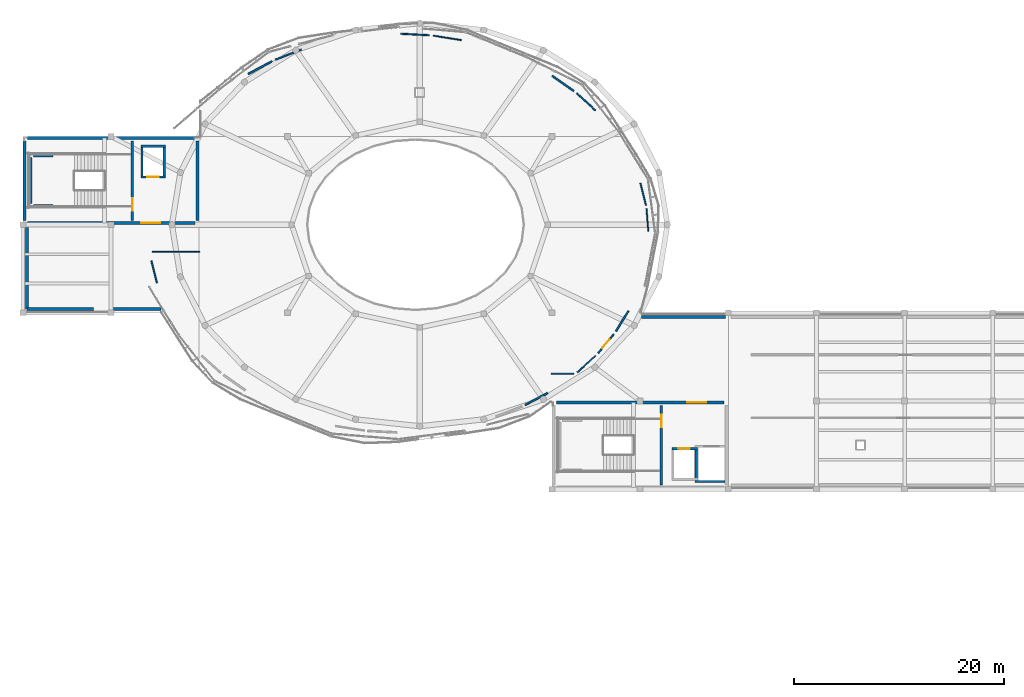
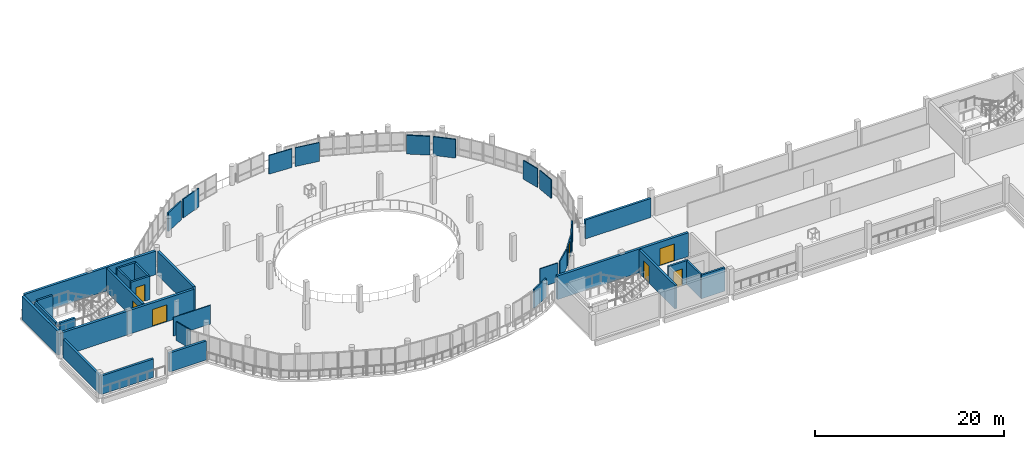
# One storey, part 31 of 43: 36 walls, 7 doors, 7 openings.
"""IFC4 building model written with IfcOpenShell, lengths in metres."""

from ifc_helpers import new_model, si_unit, derived_unit, direction, frame, frame_2d, origin, place, context, subcontext, project, spatial, rectangle, extrude, material, layer, layer_set, type_object, element, fill, save


model = new_model("IFC4")

# Units and contexts
model_context = context("Model", 3, precision=1e-05, world=origin(), true_north=direction((0.0, 1.0)))
body_context = subcontext(model_context, "Body", "Model", "MODEL_VIEW")
ifc_project = project(units=[si_unit("LENGTHUNIT", "METRE"), si_unit("AREAUNIT", "SQUARE_METRE"), si_unit("VOLUMEUNIT", "CUBIC_METRE"), si_unit("PLANEANGLEUNIT", "RADIAN"), si_unit("MASSUNIT", "GRAM", prefix="KILO"), derived_unit("THERMALTRANSMITTANCEUNIT", [(si_unit("POWERUNIT", "WATT"), 1), (si_unit("LENGTHUNIT", "METRE"), -2), (si_unit("THERMODYNAMICTEMPERATUREUNIT", "KELVIN"), -1)])], contexts=[model_context])

# Site, building, storey
site_placement = place(None, origin())
site = spatial("IfcSite", under=ifc_project, at=site_placement, CompositionType="ELEMENT")
building_placement = place(site_placement, origin())
building = spatial("IfcBuilding", under=site, at=building_placement, Name="Elbkamm Science Centre", CompositionType="ELEMENT")
storey_placement = place(building_placement, frame((0.0, 0.0, 18.300048828125)))
storey = spatial("IfcBuildingStorey", under=building, at=storey_placement, Name="L04", CompositionType="ELEMENT", Elevation=18.300048828125)

# Walls
ifc_material_1 = material(Name="Reinforced concrete C40/50", Category="concrete")
ifc_layer_1 = layer(ifc_material_1, 0.25)
ifc_layer_set_1 = layer_set([ifc_layer_1], Name="Reinforced concrete C40/50")
wall_type_1 = type_object("IfcWallType", Name="WL-CORE-250", PredefinedType="SHEAR", material=ifc_layer_set_1)
wall_1_placement = place(storey_placement, frame((25.93994140625, 69.219970703125, 0.0), z_axis=(0.0, 0.0, 1.0), x_axis=(0.0, 1.0, 0.0)))
element("IfcWall", 1, at=wall_1_placement, inside=storey, type_object=wall_type_1, Name="L04 ST-C1 Shaft Bearing Wall W", PredefinedType="SHEAR", context=body_context, shape_type="SweptSolid", body=[
    extrude(rectangle(XDim=4.360107421875, YDim=0.25, at=frame_2d((2.18017578125, 0.0))), origin(), (0.0, 0.0, 1.0), 3.0400390625),
])
for number, where, z_axis, x_axis, name in (
    (2, (26.18994140625, 69.02001953125, 0.0), (0.0, 0.0, 1.0), (1.0, 0.0, 0.0), "L04 ST-C1 Shaft Bearing Wall S"),
    (3, (26.18994140625, 73.780029296875, 0.0), (0.0, 0.0, 1.0), (1.0, 0.0, 0.0), "L04 ST-C1 Shaft Bearing Wall N"),
):
    element("IfcWall", number, at=place(storey_placement, frame(where, z_axis=z_axis, x_axis=x_axis)), inside=storey, type_object=wall_type_1, Name=name, PredefinedType="SHEAR", context=body_context, shape_type="SweptSolid", body=[
        extrude(rectangle(XDim=1.89013671875, YDim=0.25, at=frame_2d((0.945068359375, 0.0))), origin(), (0.0, 0.0, 1.0), 3.0400390625),
    ])

# Wall, opening, door
wall_2_placement = place(storey_placement, frame((35.6201171875, 67.6201171875, 0.0), z_axis=(0.0, 0.0, 1.0), x_axis=(0.0, 1.0, 0.0)))
wall_2 = element("IfcWall", 4, at=wall_2_placement, inside=storey, type_object=wall_type_1, Name="L04 C1 Stairwell Compartment Wall", PredefinedType="SHEAR", context=body_context, shape_type="SweptSolid", body=[
    extrude(rectangle(XDim=7.559814453125, YDim=0.25, at=frame_2d((3.77978515625, 0.0))), origin(), (0.0, 0.0, 1.0), 3.0400390625),
])
opening_1_placement = place(wall_2_placement, frame((0.89990234375, 0.0, 0.0)))
opening_1 = element("IfcOpeningElement", 5, at=opening_1_placement, cuts=wall_2, Name="Opening DC-02", PredefinedType="OPENING", context=body_context, shape_type="SweptSolid", body=[
    extrude(rectangle(XDim=1.199951171875, YDim=2.199951171875, at=frame_2d((0.60009765625, 1.10009765625))), frame((0.0, 0.136962890625, 0.0), z_axis=(0.0, -1.0, 0.0), x_axis=(1.0, 0.0, 0.0)), (0.0, 0.0, 1.0), 0.27392578125),
])
ifc_material_2 = material(Name="Fire-rated steel acoustic door", Category="steel")
ifc_layer_2 = layer(ifc_material_2, 0.050048828125)
ifc_layer_set_2 = layer_set([ifc_layer_2], Name="Fire-rated steel acoustic door")
door_type_1 = type_object("IfcDoorType", Name="DR-CORE-1200x2200", OperationType="NOTDEFINED", PredefinedType="DOOR", material=ifc_layer_set_2)
door_1_placement = place(opening_1_placement, origin())
door_1 = element("IfcDoor", 6, at=door_1_placement, inside=storey, type_object=door_type_1, Name="L04 ST-C1 Stairwell Fire Door", OperationType="SINGLE_SWING_RIGHT", OverallHeight=2.199951171875, OverallWidth=1.199951171875, PredefinedType="DOOR", context=body_context, shape_type="SweptSolid", body=[
    extrude(rectangle(XDim=1.199951171875, YDim=2.199951171875, at=frame_2d((0.60009765625, 1.10009765625))), frame((0.0, 0.02490234375, 0.0), z_axis=(0.0, -1.0, 0.0), x_axis=(1.0, 0.0, 0.0)), (0.0, 0.0, 1.0), 0.050048828125),
])
fill(opening_1, door_1)

wall_3_placement = place(storey_placement, frame((86.02001953125, 42.419921875, 0.0), z_axis=(0.0, 0.0, 1.0), x_axis=(0.0, 1.0, 0.0)))
wall_3 = element("IfcWall", 7, at=wall_3_placement, inside=storey, type_object=wall_type_1, Name="L04 C2 Stairwell Compartment Wall", PredefinedType="SHEAR", context=body_context, shape_type="SweptSolid", body=[
    extrude(rectangle(XDim=7.56005859375, YDim=0.25, at=frame_2d((3.780029296875, 0.0))), origin(), (0.0, 0.0, 1.0), 3.0400390625),
])
opening_2_placement = place(wall_3_placement, frame((5.4599609375, 0.0, 0.0)))
opening_2 = element("IfcOpeningElement", 8, at=opening_2_placement, cuts=wall_3, Name="Opening DC-02", PredefinedType="OPENING", context=body_context, shape_type="SweptSolid", body=[
    extrude(rectangle(XDim=1.199951171875, YDim=2.199951171875, at=frame_2d((0.60009765625, 1.10009765625))), frame((0.0, 0.136962890625, 0.0), z_axis=(0.0, -1.0, 0.0), x_axis=(1.0, 0.0, 0.0)), (0.0, 0.0, 1.0), 0.27392578125),
])
door_2_placement = place(opening_2_placement, origin())
door_2 = element("IfcDoor", 9, at=door_2_placement, inside=storey, type_object=door_type_1, Name="L04 ST-C2 Stairwell Fire Door", OperationType="SINGLE_SWING_LEFT", OverallHeight=2.199951171875, OverallWidth=1.199951171875, PredefinedType="DOOR", context=body_context, shape_type="SweptSolid", body=[
    extrude(rectangle(XDim=1.199951171875, YDim=2.199951171875, at=frame_2d((0.60009765625, 1.10009765625))), frame((0.0, 0.02490234375, 0.0), z_axis=(0.0, -1.0, 0.0), x_axis=(1.0, 0.0, 0.0)), (0.0, 0.0, 1.0), 0.050048828125),
])
fill(opening_2, door_2)

ifc_layer_3 = layer(ifc_material_1, 0.300048828125)
ifc_layer_set_3 = layer_set([ifc_layer_3], Name="Reinforced concrete C40/50")
wall_type_2 = type_object("IfcWallType", Name="WL-CORE-300", PredefinedType="SHEAR", material=ifc_layer_set_3)
wall_4_placement = place(storey_placement, frame((25.6201171875, 67.35009765625, 0.0), z_axis=(0.0, 0.0, 1.0), x_axis=(1.0, 0.0, 0.0)))
wall_4 = element("IfcWall", 10, at=wall_4_placement, inside=storey, type_object=wall_type_2, Name="L04 Core C1 Northwest Planetarium and Exhibition Core Shear Wall S", PredefinedType="SHEAR", context=body_context, shape_type="SweptSolid", body=[
    extrude(rectangle(XDim=15.9599609375, YDim=0.300048828125, at=frame_2d((7.97998046875, 0.0))), origin(), (0.0, 0.0, 1.0), 3.0400390625),
])
opening_3_placement = place(wall_4_placement, frame((10.860107421875, 0.0, 0.0)))
opening_3 = element("IfcOpeningElement", 11, at=opening_3_placement, cuts=wall_4, Name="Opening DC-01", PredefinedType="OPENING", context=body_context, shape_type="SweptSolid", body=[
    extrude(rectangle(XDim=1.800048828125, YDim=2.199951171875, at=frame_2d((0.89990234375, 1.10009765625))), frame((0.0, 0.162109375, 0.0), z_axis=(0.0, -1.0, 0.0), x_axis=(1.0, 0.0, 0.0)), (0.0, 0.0, 1.0), 0.323974609375),
])
ifc_layer_4 = layer(ifc_material_2, 0.050048828125)
ifc_layer_set_4 = layer_set([ifc_layer_4], Name="Fire-rated steel acoustic door")
door_type_2 = type_object("IfcDoorType", Name="DR-CORE-1800x2200", OperationType="DOUBLE_DOOR_SINGLE_SWING", PredefinedType="DOOR", material=ifc_layer_set_4)
door_3_placement = place(opening_3_placement, origin())
door_3 = element("IfcDoor", 12, at=door_3_placement, inside=storey, type_object=door_type_2, Name="L04 C1 Core Lobby Fire Door", OperationType="DOUBLE_DOOR_SINGLE_SWING", OverallHeight=2.199951171875, OverallWidth=1.800048828125, PredefinedType="DOOR", context=body_context, shape_type="SweptSolid", body=[
    extrude(rectangle(XDim=1.800048828125, YDim=2.199951171875, at=frame_2d((0.89990234375, 1.10009765625))), frame((0.0, 0.02490234375, 0.0), z_axis=(0.0, -1.0, 0.0), x_axis=(1.0, 0.0, 0.0)), (0.0, 0.0, 1.0), 0.050048828125),
])
fill(opening_3, door_3)

# Walls
wall_5_placement = place(storey_placement, frame((25.6201171875, 75.449951171875, 0.0), z_axis=(0.0, 0.0, 1.0), x_axis=(1.0, 0.0, 0.0)))
element("IfcWall", 13, at=wall_5_placement, inside=storey, type_object=wall_type_2, Name="L04 Core C1 Northwest Planetarium and Exhibition Core Shear Wall N", PredefinedType="SHEAR", context=body_context, shape_type="SweptSolid", body=[
    extrude(rectangle(XDim=15.9599609375, YDim=0.300048828125, at=frame_2d((7.97998046875, 0.0))), origin(), (0.0, 0.0, 1.0), 3.0400390625),
])
for number, where, z_axis, x_axis, name in (
    (14, (25.35009765625, 67.6201171875, 0.0), (0.0, 0.0, 1.0), (0.0, 1.0, 0.0), "L04 Core C1 Northwest Planetarium and Exhibition Core Shear Wall W"),
    (15, (41.85009765625, 67.6201171875, 0.0), (0.0, 0.0, 1.0), (0.0, 1.0, 0.0), "L04 Core C1 Northwest Planetarium and Exhibition Core Shear Wall E"),
):
    element("IfcWall", number, at=place(storey_placement, frame(where, z_axis=z_axis, x_axis=x_axis)), inside=storey, type_object=wall_type_2, Name=name, PredefinedType="SHEAR", context=body_context, shape_type="SweptSolid", body=[
        extrude(rectangle(XDim=7.559814453125, YDim=0.300048828125, at=frame_2d((3.77978515625, 0.0))), origin(), (0.0, 0.0, 1.0), 3.0400390625),
    ])

# Wall, opening, door
wall_6_placement = place(storey_placement, frame((76.02001953125, 50.25, 0.0), z_axis=(0.0, 0.0, 1.0), x_axis=(1.0, 0.0, 0.0)))
wall_6 = element("IfcWall", 16, at=wall_6_placement, inside=storey, type_object=wall_type_2, Name="L04 Core C2 Central Exhibition and Skybridge Core Shear Wall N", PredefinedType="SHEAR", context=body_context, shape_type="SweptSolid", body=[
    extrude(rectangle(XDim=15.9599609375, YDim=0.300048828125, at=frame_2d((7.97998046875, 0.0))), origin(), (0.0, 0.0, 1.0), 3.0400390625),
])
opening_4_placement = place(wall_6_placement, frame((12.4599609375, 0.0, 0.0)))
opening_4 = element("IfcOpeningElement", 17, at=opening_4_placement, cuts=wall_6, Name="Opening DC-01", PredefinedType="OPENING", context=body_context, shape_type="SweptSolid", body=[
    extrude(rectangle(XDim=1.800048828125, YDim=2.199951171875, at=frame_2d((0.89990234375, 1.10009765625))), frame((0.0, 0.162109375, 0.0), z_axis=(0.0, -1.0, 0.0), x_axis=(1.0, 0.0, 0.0)), (0.0, 0.0, 1.0), 0.323974609375),
])
door_4_placement = place(opening_4_placement, origin())
door_4 = element("IfcDoor", 18, at=door_4_placement, inside=storey, type_object=door_type_2, Name="L04 C2 Core Lobby Fire Door", OperationType="DOUBLE_DOOR_SINGLE_SWING", OverallHeight=2.199951171875, OverallWidth=1.800048828125, PredefinedType="DOOR", context=body_context, shape_type="SweptSolid", body=[
    extrude(rectangle(XDim=1.800048828125, YDim=2.199951171875, at=frame_2d((0.89990234375, 1.10009765625))), frame((0.0, 0.02490234375, 0.0), z_axis=(0.0, -1.0, 0.0), x_axis=(1.0, 0.0, 0.0)), (0.0, 0.0, 1.0), 0.050048828125),
])
fill(opening_4, door_4)

# Walls
ifc_material_3 = material(Name="White precast concrete C40/50", Category="concrete")
ifc_layer_5 = layer(ifc_material_3, 0.27001953125)
ifc_layer_set_5 = layer_set([ifc_layer_5], Name="White precast concrete C40/50")
wall_type_3 = type_object("IfcWallType", Name="WL-EXT-270", PredefinedType="SOLIDWALL", material=ifc_layer_set_5)
wall_7_placement = place(storey_placement, frame((84.147216796875, 58.419921875, 0.0), z_axis=(0.0, 0.0, 1.0), x_axis=(1.0, 0.0, 0.0)))
element("IfcWall", 19, at=wall_7_placement, inside=storey, type_object=wall_type_3, Name="L04 Exterior Wall 0293", PredefinedType="SOLIDWALL", context=body_context, shape_type="SweptSolid", body=[
    extrude(rectangle(XDim=8.013671875, YDim=0.27001953125, at=frame_2d((4.0068359375, 0.0))), origin(), (0.0, 0.0, 1.0), 2.449951171875),
])
wall_8_placement = place(storey_placement, frame((31.9423828125, 59.179931640625, 0.0), z_axis=(0.0, 0.0, 1.0), x_axis=(-1.0, 0.0, 0.0)))
element("IfcWall", 20, at=wall_8_placement, inside=storey, type_object=wall_type_3, Name="L04 Exterior Wall 0309", PredefinedType="SOLIDWALL", context=body_context, shape_type="SweptSolid", body=[
    extrude(rectangle(XDim=6.3623046875, YDim=0.27001953125, at=frame_2d((3.18115234375, 0.0))), origin(), (0.0, 0.0, 1.0), 2.389892578125),
])
ifc_layer_6 = layer(ifc_material_3, 0.2900390625)
ifc_layer_set_6 = layer_set([ifc_layer_6], Name="White precast concrete C40/50")
wall_type_4 = type_object("IfcWallType", Name="WL-EXT-290", PredefinedType="SOLIDWALL", material=ifc_layer_set_6)
wall_9_placement = place(storey_placement, frame((38.36083984375, 59.179931640625, 0.0), z_axis=(0.0, 0.0, 1.0), x_axis=(-1.0, 0.0, 0.0)))
element("IfcWall", 21, at=wall_9_placement, inside=storey, type_object=wall_type_4, Name="L04 Exterior Wall 0308", PredefinedType="SOLIDWALL", context=body_context, shape_type="SweptSolid", body=[
    extrude(rectangle(XDim=4.521728515625, YDim=0.2900390625, at=frame_2d((2.2607421875, 0.0))), origin(), (0.0, 0.0, 1.0), 2.43994140625),
])
wall_10_placement = place(storey_placement, frame((25.580078125, 59.179931640625, 0.0), z_axis=(0.0, 0.0, 1.0), x_axis=(0.0, 1.0, 0.0)))
element("IfcWall", 22, at=wall_10_placement, inside=storey, type_object=wall_type_4, Name="L04 Exterior Wall 0310", PredefinedType="SOLIDWALL", context=body_context, shape_type="SweptSolid", body=[
    extrude(rectangle(XDim=7.7431640625, YDim=0.2900390625, at=frame_2d((3.87158203125, 0.0))), origin(), (0.0, 0.0, 1.0), 2.389892578125),
])
ifc_material_4 = material(Name="Drywall service partition", Category="gypsum")
ifc_layer_7 = layer(ifc_material_4, 0.10009765625)
ifc_layer_set_7 = layer_set([ifc_layer_7], Name="Drywall service partition")
wall_type_5 = type_object("IfcWallType", Name="WL-PART-100", PredefinedType="PARTITIONING", material=ifc_layer_set_7)
wall_11_placement = place(storey_placement, frame((64.2841796875, 85.209228515625, 0.0), z_axis=(0.0, 0.0, 1.0), x_axis=(0.987623445591, -0.156843647363, 0.0)))
element("IfcWall", 23, at=wall_11_placement, inside=storey, type_object=wall_type_5, Name="L04 Atmospheric and Energy Exhibition Hall Partition 0235", PredefinedType="PARTITIONING", context=body_context, shape_type="SweptSolid", body=[
    extrude(rectangle(XDim=2.731689453125, YDim=0.10009765625, at=frame_2d((1.36572265625, 0.0))), origin(), (0.0, 0.0, 1.0), 2.419921875),
])
wall_12_placement = place(storey_placement, frame((84.611083984375, 68.70068359375, 0.0), z_axis=(0.0, 0.0, 1.0), x_axis=(0.081896828204, -0.996640812695, 0.0)))
element("IfcWall", 24, at=wall_12_placement, inside=storey, type_object=wall_type_5, Name="L04 Atmospheric and Energy Exhibition Hall Partition 0239", PredefinedType="PARTITIONING", context=body_context, shape_type="SweptSolid", body=[
    extrude(rectangle(XDim=2.12841796875, YDim=0.10009765625, at=frame_2d((1.064208984375, 0.0))), origin(), (0.0, 0.0, 1.0), 2.419921875),
])
wall_13_placement = place(storey_placement, frame((77.6875, 53.0, 0.0), z_axis=(0.0, 0.0, 1.0), x_axis=(-1.0, 0.0, 0.0)))
element("IfcWall", 25, at=wall_13_placement, inside=storey, type_object=wall_type_5, Name="L04 Atmospheric and Energy Exhibition Hall Partition 0243", PredefinedType="PARTITIONING", context=body_context, shape_type="SweptSolid", body=[
    extrude(rectangle(XDim=2.157470703125, YDim=0.10009765625, at=frame_2d((1.07861328125, 0.0))), origin(), (0.0, 0.0, 1.0), 2.419921875),
])
wall_14_placement = place(storey_placement, frame((37.52783203125, 64.60009765625, 0.0), z_axis=(0.0, 0.0, 1.0), x_axis=(1.0, 0.0, 0.0)))
element("IfcWall", 26, at=wall_14_placement, inside=storey, type_object=wall_type_5, Name="L04 Atmospheric and Energy Exhibition Hall Partition 0251", PredefinedType="PARTITIONING", context=body_context, shape_type="SweptSolid", body=[
    extrude(rectangle(XDim=4.542236328125, YDim=0.10009765625, at=frame_2d((2.27099609375, 0.0))), origin(), (0.0, 0.0, 1.0), 2.419921875),
])
ifc_material_5 = material(Name="Lightweight metal-stud gypsum partition", Category="gypsum")
ifc_layer_8 = layer(ifc_material_5, 0.125)
ifc_layer_set_8 = layer_set([ifc_layer_8], Name="Lightweight metal-stud gypsum partition")
wall_type_6 = type_object("IfcWallType", Name="WL-PART-125", PredefinedType="PARTITIONING", material=ifc_layer_set_8)
wall_15_placement = place(storey_placement, frame((61.1796875, 85.390625, 0.0), z_axis=(0.0, 0.0, 1.0), x_axis=(0.998632744282, -0.052274678847, 0.0)))
element("IfcWall", 27, at=wall_15_placement, inside=storey, type_object=wall_type_6, Name="L04 Atmospheric and Energy Exhibition Hall Partition 0234", PredefinedType="PARTITIONING", context=body_context, shape_type="SweptSolid", body=[
    extrude(rectangle(XDim=2.750732421875, YDim=0.125, at=frame_2d((1.37548828125, 0.0))), origin(), (0.0, 0.0, 1.0), 2.419921875),
])
wall_16_placement = place(storey_placement, frame((84.032470703125, 71.142822265625, 0.0), z_axis=(0.0, 0.0, 1.0), x_axis=(0.241868234485, -0.970309103918, 0.0)))
element("IfcWall", 28, at=wall_16_placement, inside=storey, type_object=wall_type_6, Name="L04 Atmospheric and Energy Exhibition Hall Partition 0238", PredefinedType="PARTITIONING", context=body_context, shape_type="SweptSolid", body=[
    extrude(rectangle(XDim=2.152099609375, YDim=0.125, at=frame_2d((1.076171875, 0.0))), origin(), (0.0, 0.0, 1.0), 2.419921875),
])
wall_17_placement = place(storey_placement, frame((79.748779296875, 54.71240234375, 0.0), z_axis=(0.0, 0.0, 1.0), x_axis=(-0.739481919973, -0.67317641821, 0.0)))
element("IfcWall", 29, at=wall_17_placement, inside=storey, type_object=wall_type_6, Name="L04 Atmospheric and Energy Exhibition Hall Partition 0242", PredefinedType="PARTITIONING", context=body_context, shape_type="SweptSolid", body=[
    extrude(rectangle(XDim=2.36376953125, YDim=0.125, at=frame_2d((1.181884765625, 0.0))), origin(), (0.0, 0.0, 1.0), 2.419921875),
])
wall_18_placement = place(storey_placement, frame((37.967529296875, 61.656982421875, 0.0), z_axis=(0.0, 0.0, 1.0), x_axis=(-0.241841612879, 0.970315739479, 0.0)))
element("IfcWall", 30, at=wall_18_placement, inside=storey, type_object=wall_type_6, Name="L04 Atmospheric and Energy Exhibition Hall Partition 0250", PredefinedType="PARTITIONING", context=body_context, shape_type="SweptSolid", body=[
    extrude(rectangle(XDim=2.15234375, YDim=0.125, at=frame_2d((1.076171875, 0.0))), origin(), (0.0, 0.0, 1.0), 2.419921875),
])
ifc_material_6 = material(Name="Acoustic metal-stud gypsum partition", Category="gypsum")
ifc_layer_9 = layer(ifc_material_6, 0.139892578125)
ifc_layer_set_9 = layer_set([ifc_layer_9], Name="Acoustic metal-stud gypsum partition")
wall_type_7 = type_object("IfcWallType", Name="WL-PART-140", PredefinedType="PARTITIONING", material=ifc_layer_set_9)
wall_19_placement = place(storey_placement, frame((49.267578125, 82.92041015625, 0.0), z_axis=(0.0, 0.0, 1.0), x_axis=(0.930490537395, 0.366315928971, 0.0)))
element("IfcWall", 31, at=wall_19_placement, inside=storey, type_object=wall_type_7, Name="L04 Atmospheric and Energy Exhibition Hall Partition 0233", PredefinedType="PARTITIONING", context=body_context, shape_type="SweptSolid", body=[
    extrude(rectangle(XDim=2.640625, YDim=0.139892578125, at=frame_2d((1.3203125, 0.0))), origin(), (0.0, 0.0, 1.0), 2.419921875),
])
wall_20_placement = place(storey_placement, frame((77.962158203125, 79.7138671875, 0.0), z_axis=(0.0, 0.0, 1.0), x_axis=(0.739523821126, -0.673130387062, 0.0)))
element("IfcWall", 32, at=wall_20_placement, inside=storey, type_object=wall_type_7, Name="L04 Atmospheric and Energy Exhibition Hall Partition 0237", PredefinedType="PARTITIONING", context=body_context, shape_type="SweptSolid", body=[
    extrude(rectangle(XDim=2.416015625, YDim=0.139892578125, at=frame_2d((1.2080078125, 0.0))), origin(), (0.0, 0.0, 1.0), 2.419921875),
])

# Wall, opening, door
wall_21_placement = place(storey_placement, frame((81.495849609375, 56.761962890625, 0.0), z_axis=(0.0, 0.0, 1.0), x_axis=(-0.641807980016, -0.766865383746, 0.0)))
wall_21 = element("IfcWall", 33, at=wall_21_placement, inside=storey, type_object=wall_type_7, Name="L04 Atmospheric and Energy Exhibition Hall Partition 0241", PredefinedType="PARTITIONING", context=body_context, shape_type="SweptSolid", body=[
    extrude(rectangle(XDim=2.3349609375, YDim=0.139892578125, at=frame_2d((1.16748046875, 0.0))), origin(), (0.0, 0.0, 1.0), 2.419921875),
])
opening_5_placement = place(wall_21_placement, frame((0.617431640625, 0.0, 0.0)))
opening_5 = element("IfcOpeningElement", 34, at=opening_5_placement, cuts=wall_21, Name="Opening DI-06", PredefinedType="OPENING", context=body_context, shape_type="SweptSolid", body=[
    extrude(rectangle(XDim=1.10009765625, YDim=2.14990234375, at=frame_2d((0.550048828125, 1.074951171875))), frame((0.0, 0.08203125, 0.0), z_axis=(0.0, -1.0, 0.0), x_axis=(1.0, 0.0, 0.0)), (0.0, 0.0, 1.0), 0.163818359375),
])
ifc_material_7 = material(Name="Acoustic oak veneer door")
ifc_layer_10 = layer(ifc_material_7, 0.050048828125)
ifc_layer_set_10 = layer_set([ifc_layer_10], Name="Acoustic oak veneer door")
door_type_3 = type_object("IfcDoorType", Name="DR-INT-1100x2150", OperationType="NOTDEFINED", PredefinedType="DOOR", material=ifc_layer_set_10)
door_5_placement = place(opening_5_placement, origin())
door_5 = element("IfcDoor", 35, at=door_5_placement, inside=storey, type_object=door_type_3, Name="L04 Atmospheric and Energy Exhibition Hall Door", OperationType="SINGLE_SWING_LEFT", OverallHeight=2.14990234375, OverallWidth=1.10009765625, PredefinedType="DOOR", context=body_context, shape_type="SweptSolid", body=[
    extrude(rectangle(XDim=1.10009765625, YDim=2.14990234375, at=frame_2d((0.550048828125, 1.074951171875))), frame((0.0, 0.02490234375, 0.0), z_axis=(0.0, -1.0, 0.0), x_axis=(1.0, 0.0, 0.0)), (0.0, 0.0, 1.0), 0.050048828125),
])
fill(opening_5, door_5)

# Walls
ifc_layer_11 = layer(ifc_material_6, 0.159912109375)
ifc_layer_set_11 = layer_set([ifc_layer_11], Name="Acoustic metal-stud gypsum partition")
wall_type_8 = type_object("IfcWallType", Name="WL-PART-160", PredefinedType="PARTITIONING", material=ifc_layer_set_11)
wall_22_placement = place(storey_placement, frame((46.67041015625, 81.558349609375, 0.0), z_axis=(0.0, 0.0, 1.0), x_axis=(0.882295164965, 0.470696549678, 0.0)))
element("IfcWall", 36, at=wall_22_placement, inside=storey, type_object=wall_type_8, Name="L04 Atmospheric and Energy Exhibition Hall Partition 0232", PredefinedType="PARTITIONING", context=body_context, shape_type="SweptSolid", body=[
    extrude(rectangle(XDim=2.57373046875, YDim=0.159912109375, at=frame_2d((1.286865234375, 0.0))), origin(), (0.0, 0.0, 1.0), 2.419921875),
])
wall_23_placement = place(storey_placement, frame((75.635986328125, 81.37060546875, 0.0), z_axis=(0.0, 0.0, 1.0), x_axis=(0.819153833974, -0.573573880407, 0.0)))
element("IfcWall", 37, at=wall_23_placement, inside=storey, type_object=wall_type_8, Name="L04 Atmospheric and Energy Exhibition Hall Partition 0236", PredefinedType="PARTITIONING", context=body_context, shape_type="SweptSolid", body=[
    extrude(rectangle(XDim=2.497314453125, YDim=0.159912109375, at=frame_2d((1.24853515625, 0.0))), origin(), (0.0, 0.0, 1.0), 2.419921875),
])
wall_24_placement = place(storey_placement, frame((82.893798828125, 58.975830078125, 0.0), z_axis=(0.0, 0.0, 1.0), x_axis=(-0.52552507714, -0.850778110495, 0.0)))
element("IfcWall", 38, at=wall_24_placement, inside=storey, type_object=wall_type_8, Name="L04 Atmospheric and Energy Exhibition Hall Partition 0240", PredefinedType="PARTITIONING", context=body_context, shape_type="SweptSolid", body=[
    extrude(rectangle(XDim=2.260009765625, YDim=0.159912109375, at=frame_2d((1.1298828125, 0.0))), origin(), (0.0, 0.0, 1.0), 2.419921875),
])
wall_25_placement = place(storey_placement, frame((75.191162109375, 51.167724609375, 0.0), z_axis=(0.0, 0.0, 1.0), x_axis=(-0.882316585, -0.470656396784, 0.0)))
element("IfcWall", 39, at=wall_25_placement, inside=storey, type_object=wall_type_8, Name="L04 Atmospheric and Energy Exhibition Hall Partition 0244", PredefinedType="PARTITIONING", context=body_context, shape_type="SweptSolid", body=[
    extrude(rectangle(XDim=2.416748046875, YDim=0.159912109375, at=frame_2d((1.20849609375, 0.0))), origin(), (0.0, 0.0, 1.0), 2.419921875),
])
ifc_layer_12 = layer(ifc_material_1, 0.219970703125)
ifc_layer_set_12 = layer_set([ifc_layer_12], Name="Reinforced concrete C40/50")
wall_type_9 = type_object("IfcWallType", Name="WL-SHAFT-220", PredefinedType="SOLIDWALL", material=ifc_layer_set_12)
for number, where, z_axis, x_axis, name in (
    (40, (36.5400390625, 71.85009765625, 0.0), (0.0, 0.0, 1.0), (0.0, 1.0, 0.0), "L04 Lift FF1 Shaft West Wall"),
    (41, (38.659912109375, 71.85009765625, 0.0), (0.0, 0.0, 1.0), (0.0, 1.0, 0.0), "L04 Lift FF1 Shaft East Wall"),
):
    element("IfcWall", number, at=place(storey_placement, frame(where, z_axis=z_axis, x_axis=x_axis)), inside=storey, type_object=wall_type_9, Name=name, PredefinedType="SOLIDWALL", context=body_context, shape_type="SweptSolid", body=[
        extrude(rectangle(XDim=2.699951171875, YDim=0.219970703125, at=frame_2d((1.35009765625, 0.0))), origin(), (0.0, 0.0, 1.0), 3.0400390625),
    ])
wall_26_placement = place(storey_placement, frame((36.429931640625, 74.659912109375, 0.0), z_axis=(0.0, 0.0, 1.0), x_axis=(1.0, 0.0, 0.0)))
element("IfcWall", 42, at=wall_26_placement, inside=storey, type_object=wall_type_9, Name="L04 Lift FF1 Shaft Back Wall", PredefinedType="SOLIDWALL", context=body_context, shape_type="SweptSolid", body=[
    extrude(rectangle(XDim=2.340087890625, YDim=0.219970703125, at=frame_2d((1.169921875, 0.0))), origin(), (0.0, 0.0, 1.0), 3.0400390625),
])

# Wall, opening, door
wall_27_placement = place(storey_placement, frame((36.429931640625, 71.739990234375, 0.0), z_axis=(0.0, 0.0, 1.0), x_axis=(1.0, 0.0, 0.0)))
wall_27 = element("IfcWall", 43, at=wall_27_placement, inside=storey, type_object=wall_type_9, Name="L04 Lift FF1 Shaft Front Wall", PredefinedType="SOLIDWALL", context=body_context, shape_type="SweptSolid", body=[
    extrude(rectangle(XDim=2.340087890625, YDim=0.219970703125, at=frame_2d((1.169921875, 0.0))), origin(), (0.0, 0.0, 1.0), 3.0400390625),
])
opening_6_placement = place(wall_27_placement, frame((0.6201171875, 0.0, 0.0)))
opening_6 = element("IfcOpeningElement", 44, at=opening_6_placement, cuts=wall_27, Name="Opening LD-01", PredefinedType="OPENING", context=body_context, shape_type="SweptSolid", body=[
    extrude(rectangle(XDim=1.10009765625, YDim=2.14990234375, at=frame_2d((0.550048828125, 1.074951171875))), frame((0.0, 0.1220703125, 0.0), z_axis=(0.0, -1.0, 0.0), x_axis=(1.0, 0.0, 0.0)), (0.0, 0.0, 1.0), 0.243896484375),
])
ifc_material_8 = material(Name="Stainless steel lift landing door", Category="steel")
ifc_layer_13 = layer(ifc_material_8, 0.050048828125)
ifc_layer_set_13 = layer_set([ifc_layer_13], Name="Stainless steel lift landing door")
door_type_4 = type_object("IfcDoorType", Name="DR-LIFT-1100x2150", OperationType="DOUBLE_DOOR_SLIDING", PredefinedType="DOOR", material=ifc_layer_set_13)
door_6_placement = place(opening_6_placement, origin())
door_6 = element("IfcDoor", 45, at=door_6_placement, inside=storey, type_object=door_type_4, Name="L04 Lift FF1 Sliding Landing Door", OperationType="DOUBLE_DOOR_SLIDING", OverallHeight=2.14990234375, OverallWidth=1.10009765625, PredefinedType="DOOR", context=body_context, shape_type="SweptSolid", body=[
    extrude(rectangle(XDim=1.10009765625, YDim=2.14990234375, at=frame_2d((0.550048828125, 1.074951171875))), frame((0.0, 0.02490234375, 0.0), z_axis=(0.0, -1.0, 0.0), x_axis=(1.0, 0.0, 0.0)), (0.0, 0.0, 1.0), 0.050048828125),
])
fill(opening_6, door_6)

wall_28_placement = place(storey_placement, frame((87.030029296875, 45.860107421875, 0.0), z_axis=(0.0, 0.0, 1.0), x_axis=(1.0, 0.0, 0.0)))
wall_28 = element("IfcWall", 46, at=wall_28_placement, inside=storey, type_object=wall_type_9, Name="L04 Lift FF2 Shaft Front Wall", PredefinedType="SOLIDWALL", context=body_context, shape_type="SweptSolid", body=[
    extrude(rectangle(XDim=2.429931640625, YDim=0.219970703125, at=frame_2d((1.21484375, 0.0))), origin(), (0.0, 0.0, 1.0), 3.0400390625),
])
opening_7_placement = place(wall_28_placement, frame((0.6201171875, 0.0, 0.0)))
opening_7 = element("IfcOpeningElement", 47, at=opening_7_placement, cuts=wall_28, Name="Opening LD-01", PredefinedType="OPENING", context=body_context, shape_type="SweptSolid", body=[
    extrude(rectangle(XDim=1.10009765625, YDim=2.14990234375, at=frame_2d((0.550048828125, 1.074951171875))), frame((0.0, 0.1220703125, 0.0), z_axis=(0.0, -1.0, 0.0), x_axis=(1.0, 0.0, 0.0)), (0.0, 0.0, 1.0), 0.243896484375),
])
door_7_placement = place(opening_7_placement, origin())
door_7 = element("IfcDoor", 48, at=door_7_placement, inside=storey, type_object=door_type_4, Name="L04 Lift FF2 Sliding Landing Door", OperationType="DOUBLE_DOOR_SLIDING", OverallHeight=2.14990234375, OverallWidth=1.10009765625, PredefinedType="DOOR", context=body_context, shape_type="SweptSolid", body=[
    extrude(rectangle(XDim=1.10009765625, YDim=2.14990234375, at=frame_2d((0.550048828125, 1.074951171875))), frame((0.0, 0.02490234375, 0.0), z_axis=(0.0, -1.0, 0.0), x_axis=(1.0, 0.0, 0.0)), (0.0, 0.0, 1.0), 0.050048828125),
])
fill(opening_7, door_7)

# Walls
wall_29_placement = place(storey_placement, frame((89.35009765625, 42.85009765625, 0.0), z_axis=(0.0, 0.0, 1.0), x_axis=(0.0, 1.0, 0.0)))
element("IfcWall", 49, at=wall_29_placement, inside=storey, type_object=wall_type_9, Name="L04 Lift GL1 Shaft Divider Wall", PredefinedType="SOLIDWALL", context=body_context, shape_type="SweptSolid", body=[
    extrude(rectangle(XDim=3.099853515625, YDim=0.219970703125, at=frame_2d((1.5498046875, 0.0))), origin(), (0.0, 0.0, 1.0), 3.0400390625),
])
wall_30_placement = place(storey_placement, frame((89.239990234375, 42.739990234375, 0.0), z_axis=(0.0, 0.0, 1.0), x_axis=(1.0, 0.0, 0.0)))
element("IfcWall", 50, at=wall_30_placement, inside=storey, type_object=wall_type_9, Name="L04 Lift GL1 Shaft Back Wall", PredefinedType="SOLIDWALL", context=body_context, shape_type="SweptSolid", body=[
    extrude(rectangle(XDim=2.860107421875, YDim=0.219970703125, at=frame_2d((1.43017578125, 0.0))), origin(), (0.0, 0.0, 1.0), 3.0400390625),
])

save(model, "model.ifc")
